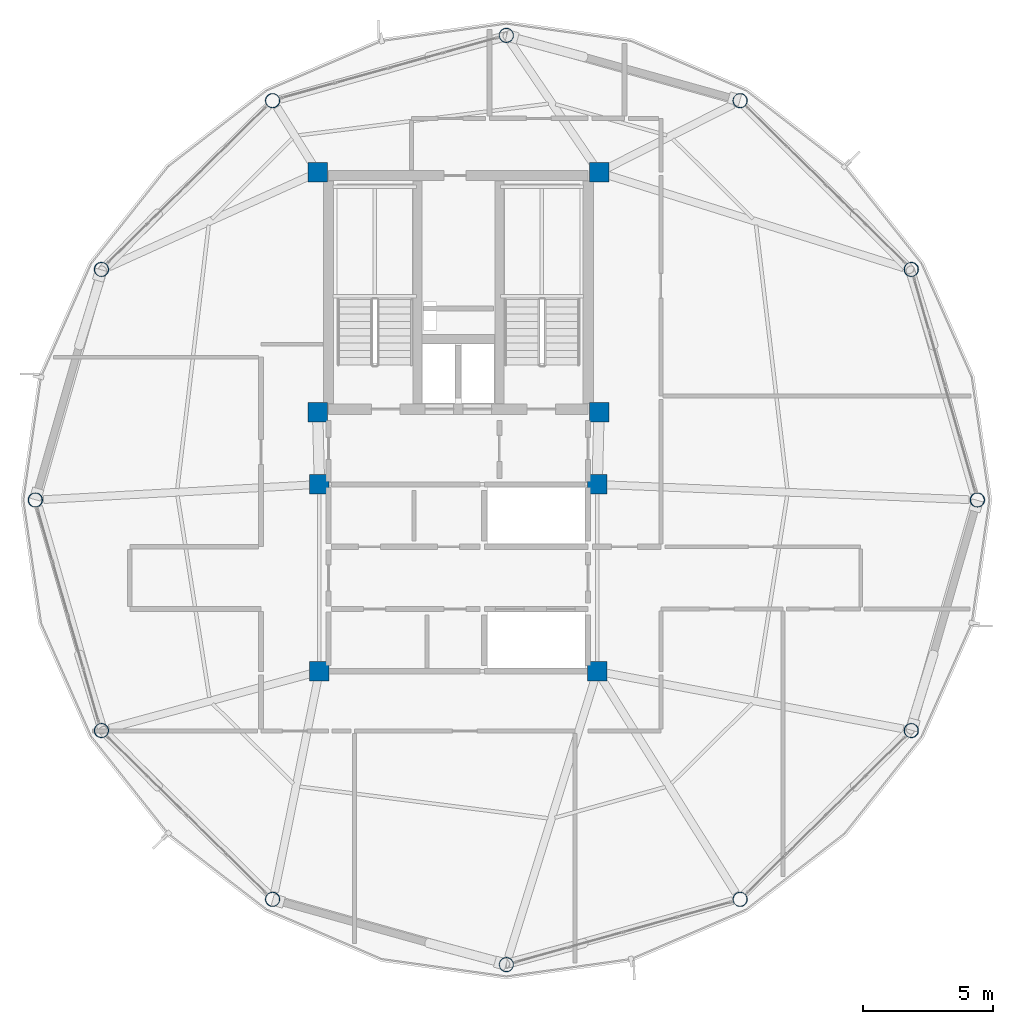
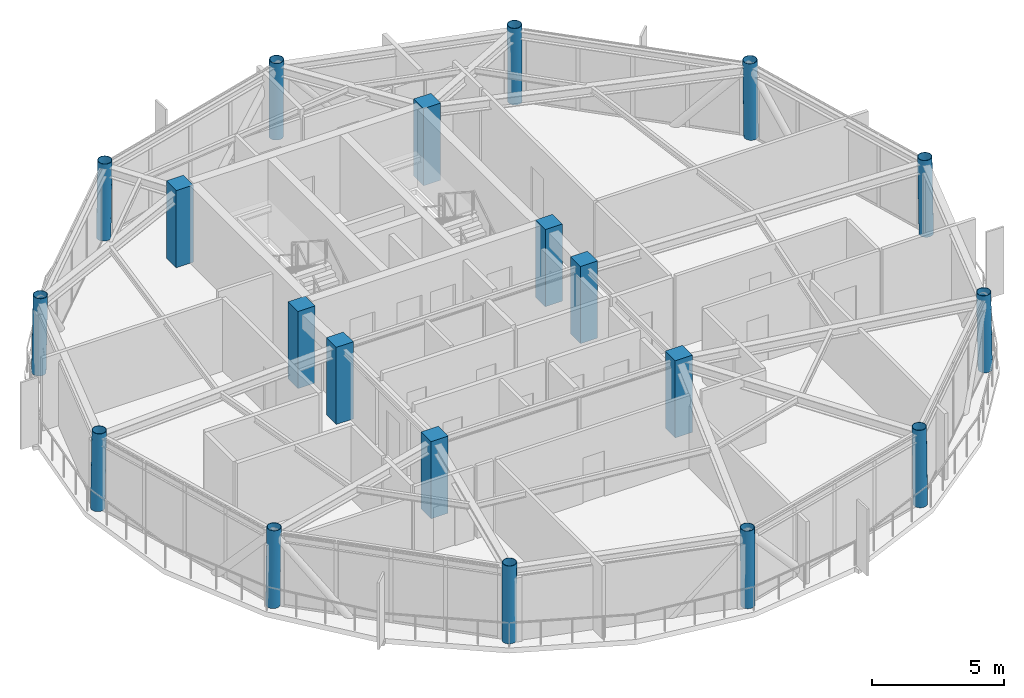
# One storey, part 1 of 26: 20 columns.
"""IFC4 building model written with IfcOpenShell, lengths in metres."""

from ifc_helpers import new_model, si_unit, direction, frame, origin, origin_2d, place, context, subcontext, project, spatial, rectangle, hollow_circle, extrude, material, material_profile, profile_set, type_object, element, save


model = new_model("IFC4")

# Units and contexts
model_context = context("Model", 3, precision=1e-05, world=origin(), true_north=direction((0.0, 1.0)))
body_context = subcontext(model_context, "Body", "Model", "MODEL_VIEW")
ifc_project = project(units=[si_unit("LENGTHUNIT", "METRE"), si_unit("AREAUNIT", "SQUARE_METRE"), si_unit("VOLUMEUNIT", "CUBIC_METRE"), si_unit("PLANEANGLEUNIT", "RADIAN"), si_unit("MASSUNIT", "GRAM", prefix="KILO")], contexts=[model_context])

# Site, building, storey
site_placement = place(None, origin())
site = spatial("IfcSite", under=ifc_project, at=site_placement, CompositionType="ELEMENT")
building_placement = place(site_placement, origin())
building = spatial("IfcBuilding", under=site, at=building_placement, Name="Varnakorn Sky Granary", CompositionType="ELEMENT")
storey_placement = place(building_placement, frame((0.0, 0.0, 267.0)))
storey = spatial("IfcBuildingStorey", under=building, at=storey_placement, Name="L68", CompositionType="ELEMENT", Elevation=267.0)

# Columns
ifc_material_1 = material(Name="Steel S460M", Category="steel")
ifc_material_profile_1 = material_profile(ifc_material_1, hollow_circle(Radius=0.279541015625, WallThickness=0.02001953125, at=origin_2d()), Name="CHS 559x20")
ifc_profile_set_1 = profile_set([ifc_material_profile_1], Name="Steel S460M")
column_type_1 = type_object("IfcColumnType", Name="COL-DC-Z5", PredefinedType="COLUMN", material=ifc_profile_set_1)
column_1_placement = place(storey_placement, frame((23.006103515625, 0.0, 0.0), z_axis=(-0.018776993553, 0.0, 0.999823696715), x_axis=(0.0, -1.0, 0.0)))
element("IfcColumn", 1, at=column_1_placement, inside=storey, type_object=column_type_1, Name="Drum Perimeter Column DC01 L68", PredefinedType="COLUMN", context=body_context, shape_type="SweptSolid", body=[
    extrude(hollow_circle(Radius=0.279541015625, WallThickness=0.02001953125, at=origin_2d()), origin(), (0.0, 0.0, 1.0), 3.57568359375),
])
column_2_placement = place(storey_placement, frame((20.45654296875, 8.884033203125, 0.0), z_axis=(-0.016182903558, -0.004779760545, 0.999857623625), x_axis=(0.283261555535, -0.959042695168, 0.0)))
element("IfcColumn", 2, at=column_2_placement, inside=storey, type_object=column_type_1, Name="Drum Perimeter Column DC02 L68", PredefinedType="COLUMN", context=body_context, shape_type="SweptSolid", body=[
    extrude(hollow_circle(Radius=0.279541015625, WallThickness=0.02001953125, at=origin_2d()), origin(), (0.0, 0.0, 1.0), 3.575439453125),
])
for number, where, z_axis, x_axis, name in (
    (3, (13.860595703125, 15.387451171875, 0.0), (-0.009423563403, -0.008194402959, 0.999922021066), (0.656178714925, -0.754605522164, 0.0), "Drum Perimeter Column DC03 L68"),
    (4, (4.85009765625, 17.903076171875, 0.0), (0.0, -0.00956044538, 0.999954297898), (1.0, 0.0, 0.0), "Drum Perimeter Column DC04 L68"),
    (5, (-4.160400390625, 15.387451171875, 0.0), (0.00935528271, -0.008194408213, 0.999922662189), (0.658893247603, 0.75223645768, 0.0), "Drum Perimeter Column DC05 L68"),
):
    element("IfcColumn", number, at=place(storey_placement, frame(where, z_axis=z_axis, x_axis=x_axis)), inside=storey, type_object=column_type_1, Name=name, PredefinedType="COLUMN", context=body_context, shape_type="SweptSolid", body=[
        extrude(hollow_circle(Radius=0.279541015625, WallThickness=0.02001953125, at=origin_2d()), origin(), (0.0, 0.0, 1.0), 3.5751953125),
    ])
column_3_placement = place(storey_placement, frame((-10.756591796875, 8.884033203125, 0.0), z_axis=(0.016251167856, -0.004779755252, 0.999856516448), x_axis=(0.282166323992, 0.959365501571, 0.0)))
element("IfcColumn", 6, at=column_3_placement, inside=storey, type_object=column_type_1, Name="Drum Perimeter Column DC06 L68", PredefinedType="COLUMN", context=body_context, shape_type="SweptSolid", body=[
    extrude(hollow_circle(Radius=0.279541015625, WallThickness=0.02001953125, at=origin_2d()), origin(), (0.0, 0.0, 1.0), 3.575439453125),
])
column_4_placement = place(storey_placement, frame((-13.305908203125, 0.0, 0.0), z_axis=(0.018708737519, 0.0, 0.999824976254), x_axis=(0.0, 1.0, 0.0)))
element("IfcColumn", 7, at=column_4_placement, inside=storey, type_object=column_type_1, Name="Drum Perimeter Column DC07 L68", PredefinedType="COLUMN", context=body_context, shape_type="SweptSolid", body=[
    extrude(hollow_circle(Radius=0.279541015625, WallThickness=0.02001953125, at=origin_2d()), origin(), (0.0, 0.0, 1.0), 3.57568359375),
])
column_5_placement = place(storey_placement, frame((-10.756591796875, -8.884033203125, 0.0), z_axis=(0.016251167856, 0.004779755252, 0.999856516448), x_axis=(-0.282166323992, 0.959365501571, 0.0)))
element("IfcColumn", 8, at=column_5_placement, inside=storey, type_object=column_type_1, Name="Drum Perimeter Column DC08 L68", PredefinedType="COLUMN", context=body_context, shape_type="SweptSolid", body=[
    extrude(hollow_circle(Radius=0.279541015625, WallThickness=0.02001953125, at=origin_2d()), origin(), (0.0, 0.0, 1.0), 3.575439453125),
])
for number, where, z_axis, x_axis, name in (
    (9, (-4.160400390625, -15.387451171875, 0.0), (0.00935528271, 0.008194408213, 0.999922662189), (-0.658893247603, 0.75223645768, 0.0), "Drum Perimeter Column DC09 L68"),
    (10, (4.85009765625, -17.903076171875, 0.0), (0.0, 0.00956044538, 0.999954297898), (-1.0, 0.0, 0.0), "Drum Perimeter Column DC10 L68"),
    (11, (13.860595703125, -15.387451171875, 0.0), (-0.009423563403, 0.008194402959, 0.999922021066), (-0.656178714925, -0.754605522164, 0.0), "Drum Perimeter Column DC11 L68"),
):
    element("IfcColumn", number, at=place(storey_placement, frame(where, z_axis=z_axis, x_axis=x_axis)), inside=storey, type_object=column_type_1, Name=name, PredefinedType="COLUMN", context=body_context, shape_type="SweptSolid", body=[
        extrude(hollow_circle(Radius=0.279541015625, WallThickness=0.02001953125, at=origin_2d()), origin(), (0.0, 0.0, 1.0), 3.5751953125),
    ])
column_6_placement = place(storey_placement, frame((20.45654296875, -8.884033203125, 0.0), z_axis=(-0.016182903558, 0.004779760545, 0.999857623625), x_axis=(-0.283261555535, -0.959042695168, 0.0)))
element("IfcColumn", 12, at=column_6_placement, inside=storey, type_object=column_type_1, Name="Drum Perimeter Column DC12 L68", PredefinedType="COLUMN", context=body_context, shape_type="SweptSolid", body=[
    extrude(hollow_circle(Radius=0.279541015625, WallThickness=0.02001953125, at=origin_2d()), origin(), (0.0, 0.0, 1.0), 3.575439453125),
])
ifc_material_2 = material(Name="Concrete C50/60", Category="concrete")
ifc_material_profile_2 = material_profile(ifc_material_2, rectangle(XDim=0.75, YDim=0.75, at=origin_2d()), Name="RC 750x750")
ifc_profile_set_2 = profile_set([ifc_material_profile_2], Name="Concrete C50/60")
column_type_2 = type_object("IfcColumnType", Name="COL-MC-Z5", PredefinedType="COLUMN", material=ifc_profile_set_2)
for number, where, z_axis, x_axis, name in (
    (13, (-2.419921875, 12.6201171875, 0.0), (0.0, 0.0, 1.0), (1.0, 0.0, 0.0), "Backbone Mega-Column MC1 L68"),
    (14, (8.419921875, 12.6201171875, 0.0), (0.0, 0.0, 1.0), (1.0, 0.0, 0.0), "Backbone Mega-Column MC2 L68"),
    (15, (-2.419921875, 3.3798828125, 0.0), (0.0, 0.0, 1.0), (1.0, 0.0, 0.0), "Backbone Mega-Column MC3 L68"),
    (16, (8.419921875, 3.3798828125, 0.0), (0.0, 0.0, 1.0), (1.0, 0.0, 0.0), "Backbone Mega-Column MC4 L68"),
    (17, (-2.35009765625, 0.60009765625, 0.0), (0.0, 0.0, 1.0), (1.0, 0.0, 0.0), "Backbone Mega-Column MC5 L68"),
    (18, (8.35009765625, 0.60009765625, 0.0), (0.0, 0.0, 1.0), (1.0, 0.0, 0.0), "Backbone Mega-Column MC6 L68"),
    (19, (-2.35009765625, -6.60009765625, 0.0), (0.0, 0.0, 1.0), (1.0, 0.0, 0.0), "Backbone Mega-Column MC7 L68"),
    (20, (8.35009765625, -6.60009765625, 0.0), (0.0, 0.0, 1.0), (1.0, 0.0, 0.0), "Backbone Mega-Column MC8 L68"),
):
    element("IfcColumn", number, at=place(storey_placement, frame(where, z_axis=z_axis, x_axis=x_axis)), inside=storey, type_object=column_type_2, Name=name, PredefinedType="COLUMN", context=body_context, shape_type="SweptSolid", body=[
        extrude(rectangle(XDim=0.75, YDim=0.75, at=origin_2d()), origin(), (0.0, 0.0, 1.0), 3.574951171875),
    ])

save(model, "model.ifc")
